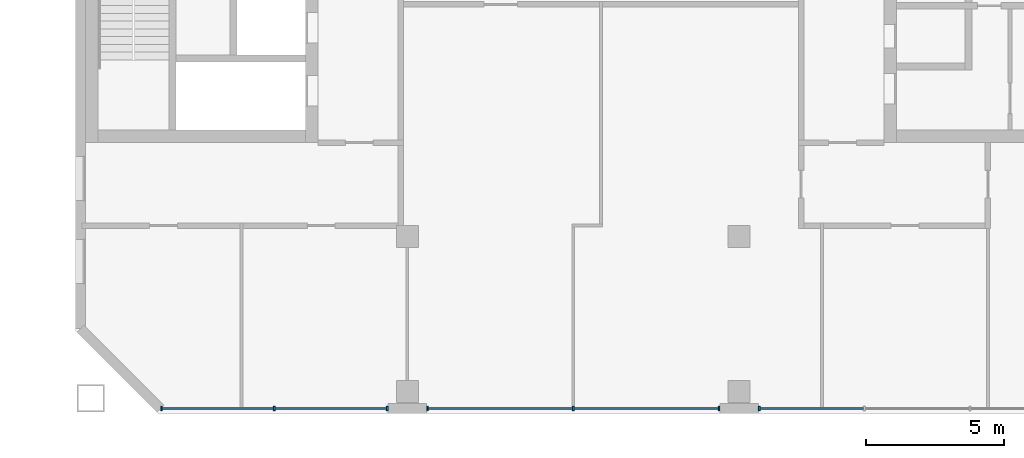
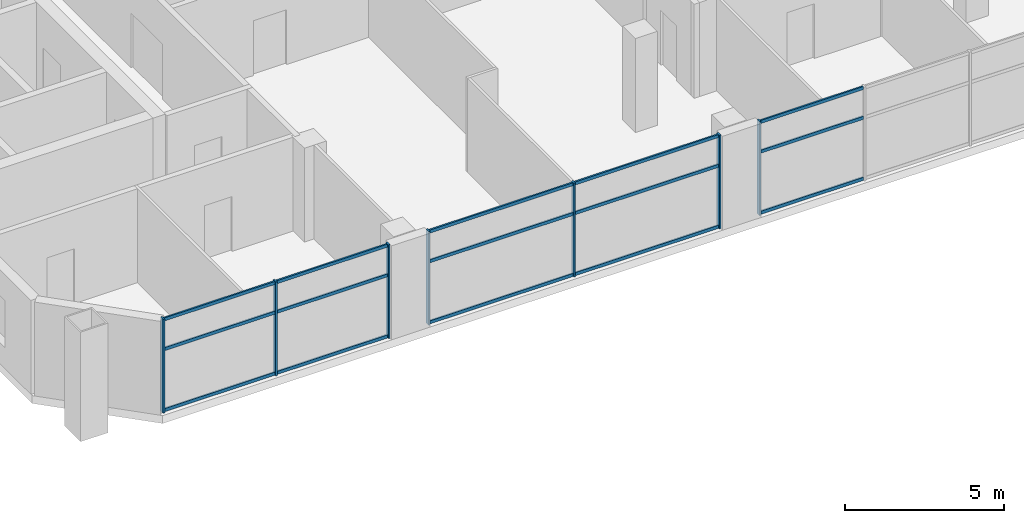
# One storey, part 5 of 19: 22 members, 3 elements without a shape of their own.
"""IFC4 building model written with IfcOpenShell, lengths in metres."""

from ifc_helpers import new_model, si_unit, direction, frame, origin, origin_2d, place, context, subcontext, project, spatial, rectangle, extrude, material, material_profile, profile_set, type_object, element, aggregate, save


model = new_model("IFC4")

# Units and contexts
model_context = context("Model", 3, precision=1e-05, world=origin(), true_north=direction((0.0, 1.0)))
body_context = subcontext(model_context, "Body", "Model", "MODEL_VIEW")
ifc_project = project(units=[si_unit("LENGTHUNIT", "METRE"), si_unit("AREAUNIT", "SQUARE_METRE"), si_unit("VOLUMEUNIT", "CUBIC_METRE"), si_unit("PLANEANGLEUNIT", "RADIAN"), si_unit("MASSUNIT", "GRAM", prefix="KILO")], contexts=[model_context])

# Site, building, storey
site_placement = place(None, origin())
site = spatial("IfcSite", under=ifc_project, at=site_placement, CompositionType="ELEMENT")
building_placement = place(site_placement, origin())
building = spatial("IfcBuilding", under=site, at=building_placement, Name="Tuart Gate Housing", CompositionType="ELEMENT")
storey_placement = place(building_placement, frame((0.0, 0.0, 171.60009765625)))
storey = spatial("IfcBuildingStorey", under=building, at=storey_placement, Name="L48", CompositionType="ELEMENT", Elevation=171.60009765625)

# Curtain wall, members
ifc_material_1 = material(Name="Aluminium and clear glass", Category="aluminium")
curtain_wall_type = type_object("IfcCurtainWallType", Name="Community floor glazing", PredefinedType="USERDEFINED", material=ifc_material_1)
curtain_wall_1_placement = place(storey_placement, origin())
curtain_wall_1 = element("IfcCurtainWall", 1, at=curtain_wall_1_placement, inside=storey, type_object=curtain_wall_type, Name="Community floor glazing B-S L48", ObjectType="COMMUNITY FLOOR GLAZING", PredefinedType="USERDEFINED")
ifc_material_2 = material(Name="Anodised aluminium", Category="aluminium")
ifc_material_profile_1 = material_profile(ifc_material_2, rectangle(XDim=0.06005859375, YDim=0.159912109375, at=origin_2d()), Name="60x160")
ifc_profile_set_1 = profile_set([ifc_material_profile_1], Name="Anodised aluminium")
member_type_1 = type_object("IfcMemberType", Name="Mullion 60 x 160", PredefinedType="MULLION", material=ifc_profile_set_1)
member_1_placement = place(storey_placement, frame((134.1044921875, 54.179931640625, 0.0), z_axis=(0.0, 0.0, 1.0), x_axis=(1.0, 0.0, 0.0)))
member_1 = element("IfcMember", 2, at=member_1_placement, type_object=member_type_1, Name="CW3 mullion 1", PredefinedType="MULLION", context=body_context, shape_type="SweptSolid", body=[
    extrude(rectangle(XDim=0.06005859375, YDim=0.159912109375, at=origin_2d()), origin(), (0.0, 0.0, 1.0), 3.599853515625),
])
member_2_placement = place(storey_placement, frame((138.187255859375, 54.179931640625, 0.0), z_axis=(0.0, 0.0, 1.0), x_axis=(1.0, 0.0, 0.0)))
member_2 = element("IfcMember", 3, at=member_2_placement, type_object=member_type_1, Name="CW3 mullion 2", PredefinedType="MULLION", context=body_context, shape_type="SweptSolid", body=[
    extrude(rectangle(XDim=0.06005859375, YDim=0.159912109375, at=origin_2d()), origin(), (0.0, 0.0, 1.0), 3.599853515625),
])
member_3_placement = place(storey_placement, frame((142.27001953125, 54.179931640625, 0.0), z_axis=(0.0, 0.0, 1.0), x_axis=(1.0, 0.0, 0.0)))
member_3 = element("IfcMember", 4, at=member_3_placement, type_object=member_type_1, Name="CW3 mullion 3", PredefinedType="MULLION", context=body_context, shape_type="SweptSolid", body=[
    extrude(rectangle(XDim=0.06005859375, YDim=0.159912109375, at=origin_2d()), origin(), (0.0, 0.0, 1.0), 3.599853515625),
])

curtain_wall_2_placement = place(storey_placement, origin())
curtain_wall_2 = element("IfcCurtainWall", 5, at=curtain_wall_2_placement, inside=storey, type_object=curtain_wall_type, Name="Community floor glazing B-S L48", ObjectType="COMMUNITY FLOOR GLAZING", PredefinedType="USERDEFINED")
member_4_placement = place(storey_placement, frame((143.72998046875, 54.179931640625, 0.0), z_axis=(0.0, 0.0, 1.0), x_axis=(1.0, 0.0, 0.0)))
member_4 = element("IfcMember", 6, at=member_4_placement, type_object=member_type_1, Name="CW3 mullion 1", PredefinedType="MULLION", context=body_context, shape_type="SweptSolid", body=[
    extrude(rectangle(XDim=0.06005859375, YDim=0.159912109375, at=origin_2d()), origin(), (0.0, 0.0, 1.0), 3.599853515625),
])
member_5_placement = place(storey_placement, frame((149.0, 54.179931640625, 0.0), z_axis=(0.0, 0.0, 1.0), x_axis=(1.0, 0.0, 0.0)))
member_5 = element("IfcMember", 7, at=member_5_placement, type_object=member_type_1, Name="CW3 mullion 2", PredefinedType="MULLION", context=body_context, shape_type="SweptSolid", body=[
    extrude(rectangle(XDim=0.06005859375, YDim=0.159912109375, at=origin_2d()), origin(), (0.0, 0.0, 1.0), 3.599853515625),
])
member_6_placement = place(storey_placement, frame((154.27001953125, 54.179931640625, 0.0), z_axis=(0.0, 0.0, 1.0), x_axis=(1.0, 0.0, 0.0)))
member_6 = element("IfcMember", 8, at=member_6_placement, type_object=member_type_1, Name="CW3 mullion 3", PredefinedType="MULLION", context=body_context, shape_type="SweptSolid", body=[
    extrude(rectangle(XDim=0.06005859375, YDim=0.159912109375, at=origin_2d()), origin(), (0.0, 0.0, 1.0), 3.599853515625),
])

# Curtain wall, member
curtain_wall_3_placement = place(storey_placement, origin())
curtain_wall_3 = element("IfcCurtainWall", 9, at=curtain_wall_3_placement, inside=storey, type_object=curtain_wall_type, Name="Community floor glazing B-S L48", ObjectType="COMMUNITY FLOOR GLAZING", PredefinedType="USERDEFINED")
member_7_placement = place(storey_placement, frame((155.72998046875, 54.179931640625, 0.0), z_axis=(0.0, 0.0, 1.0), x_axis=(1.0, 0.0, 0.0)))
member_7 = element("IfcMember", 10, at=member_7_placement, type_object=member_type_1, Name="CW3 mullion 1", PredefinedType="MULLION", context=body_context, shape_type="SweptSolid", body=[
    extrude(rectangle(XDim=0.06005859375, YDim=0.159912109375, at=origin_2d()), origin(), (0.0, 0.0, 1.0), 3.599853515625),
])

# Member
ifc_material_3 = material(Name="Anodised aluminium", Category="aluminium")
ifc_material_profile_2 = material_profile(ifc_material_3, rectangle(XDim=0.06005859375, YDim=0.1201171875, at=origin_2d()), Name="60x120")
ifc_profile_set_2 = profile_set([ifc_material_profile_2], Name="Anodised aluminium")
member_type_2 = type_object("IfcMemberType", Name="Transom 60 x 120", PredefinedType="USERDEFINED", material=ifc_profile_set_2)
member_8_placement = place(storey_placement, frame((134.134521484375, 54.179931640625, 0.059814453125), z_axis=(1.0, 0.0, 0.0), x_axis=(0.0, 1.0, 0.0)))
member_8 = element("IfcMember", 11, at=member_8_placement, type_object=member_type_2, Name="CW3 transom 1.1", ObjectType="TRANSOM", PredefinedType="USERDEFINED", context=body_context, shape_type="SweptSolid", body=[
    extrude(rectangle(XDim=0.06005859375, YDim=0.1201171875, at=origin_2d()), origin(), (0.0, 0.0, 1.0), 4.022705078125),
])

member_9_placement = place(storey_placement, frame((134.134521484375, 54.179931640625, 2.39990234375), z_axis=(1.0, 0.0, 0.0), x_axis=(0.0, 1.0, 0.0)))
member_9 = element("IfcMember", 12, at=member_9_placement, type_object=member_type_2, Name="CW3 transom 1.2", ObjectType="TRANSOM", PredefinedType="USERDEFINED", context=body_context, shape_type="SweptSolid", body=[
    extrude(rectangle(XDim=0.06005859375, YDim=0.1201171875, at=origin_2d()), origin(), (0.0, 0.0, 1.0), 4.022705078125),
])

member_10_placement = place(storey_placement, frame((134.134521484375, 54.179931640625, 3.539794921875), z_axis=(1.0, 0.0, 0.0), x_axis=(0.0, 1.0, 0.0)))
member_10 = element("IfcMember", 13, at=member_10_placement, type_object=member_type_2, Name="CW3 transom 1.3", ObjectType="TRANSOM", PredefinedType="USERDEFINED", context=body_context, shape_type="SweptSolid", body=[
    extrude(rectangle(XDim=0.06005859375, YDim=0.1201171875, at=origin_2d()), origin(), (0.0, 0.0, 1.0), 4.022705078125),
])

member_11_placement = place(storey_placement, frame((138.21728515625, 54.179931640625, 0.059814453125), z_axis=(1.0, 0.0, 0.0), x_axis=(0.0, 1.0, 0.0)))
member_11 = element("IfcMember", 14, at=member_11_placement, type_object=member_type_2, Name="CW3 transom 2.1", ObjectType="TRANSOM", PredefinedType="USERDEFINED", context=body_context, shape_type="SweptSolid", body=[
    extrude(rectangle(XDim=0.06005859375, YDim=0.1201171875, at=origin_2d()), origin(), (0.0, 0.0, 1.0), 4.022705078125),
])

member_12_placement = place(storey_placement, frame((138.21728515625, 54.179931640625, 2.39990234375), z_axis=(1.0, 0.0, 0.0), x_axis=(0.0, 1.0, 0.0)))
member_12 = element("IfcMember", 15, at=member_12_placement, type_object=member_type_2, Name="CW3 transom 2.2", ObjectType="TRANSOM", PredefinedType="USERDEFINED", context=body_context, shape_type="SweptSolid", body=[
    extrude(rectangle(XDim=0.06005859375, YDim=0.1201171875, at=origin_2d()), origin(), (0.0, 0.0, 1.0), 4.022705078125),
])

member_13_placement = place(storey_placement, frame((138.21728515625, 54.179931640625, 3.539794921875), z_axis=(1.0, 0.0, 0.0), x_axis=(0.0, 1.0, 0.0)))
member_13 = element("IfcMember", 16, at=member_13_placement, type_object=member_type_2, Name="CW3 transom 2.3", ObjectType="TRANSOM", PredefinedType="USERDEFINED", context=body_context, shape_type="SweptSolid", body=[
    extrude(rectangle(XDim=0.06005859375, YDim=0.1201171875, at=origin_2d()), origin(), (0.0, 0.0, 1.0), 4.022705078125),
])

aggregate(curtain_wall_1, [member_1, member_2, member_3, member_8, member_9, member_10, member_11, member_12, member_13])

member_14_placement = place(storey_placement, frame((143.760009765625, 54.179931640625, 0.059814453125), z_axis=(1.0, 0.0, 0.0), x_axis=(0.0, 1.0, 0.0)))
member_14 = element("IfcMember", 17, at=member_14_placement, type_object=member_type_2, Name="CW3 transom 1.1", ObjectType="TRANSOM", PredefinedType="USERDEFINED", context=body_context, shape_type="SweptSolid", body=[
    extrude(rectangle(XDim=0.06005859375, YDim=0.1201171875, at=origin_2d()), origin(), (0.0, 0.0, 1.0), 5.2099609375),
])

member_15_placement = place(storey_placement, frame((143.760009765625, 54.179931640625, 2.39990234375), z_axis=(1.0, 0.0, 0.0), x_axis=(0.0, 1.0, 0.0)))
member_15 = element("IfcMember", 18, at=member_15_placement, type_object=member_type_2, Name="CW3 transom 1.2", ObjectType="TRANSOM", PredefinedType="USERDEFINED", context=body_context, shape_type="SweptSolid", body=[
    extrude(rectangle(XDim=0.06005859375, YDim=0.1201171875, at=origin_2d()), origin(), (0.0, 0.0, 1.0), 5.2099609375),
])

member_16_placement = place(storey_placement, frame((143.760009765625, 54.179931640625, 3.539794921875), z_axis=(1.0, 0.0, 0.0), x_axis=(0.0, 1.0, 0.0)))
member_16 = element("IfcMember", 19, at=member_16_placement, type_object=member_type_2, Name="CW3 transom 1.3", ObjectType="TRANSOM", PredefinedType="USERDEFINED", context=body_context, shape_type="SweptSolid", body=[
    extrude(rectangle(XDim=0.06005859375, YDim=0.1201171875, at=origin_2d()), origin(), (0.0, 0.0, 1.0), 5.2099609375),
])

member_17_placement = place(storey_placement, frame((149.030029296875, 54.179931640625, 0.059814453125), z_axis=(1.0, 0.0, 0.0), x_axis=(0.0, 1.0, 0.0)))
member_17 = element("IfcMember", 20, at=member_17_placement, type_object=member_type_2, Name="CW3 transom 2.1", ObjectType="TRANSOM", PredefinedType="USERDEFINED", context=body_context, shape_type="SweptSolid", body=[
    extrude(rectangle(XDim=0.06005859375, YDim=0.1201171875, at=origin_2d()), origin(), (0.0, 0.0, 1.0), 5.2099609375),
])

member_18_placement = place(storey_placement, frame((149.030029296875, 54.179931640625, 2.39990234375), z_axis=(1.0, 0.0, 0.0), x_axis=(0.0, 1.0, 0.0)))
member_18 = element("IfcMember", 21, at=member_18_placement, type_object=member_type_2, Name="CW3 transom 2.2", ObjectType="TRANSOM", PredefinedType="USERDEFINED", context=body_context, shape_type="SweptSolid", body=[
    extrude(rectangle(XDim=0.06005859375, YDim=0.1201171875, at=origin_2d()), origin(), (0.0, 0.0, 1.0), 5.2099609375),
])

member_19_placement = place(storey_placement, frame((149.030029296875, 54.179931640625, 3.539794921875), z_axis=(1.0, 0.0, 0.0), x_axis=(0.0, 1.0, 0.0)))
member_19 = element("IfcMember", 22, at=member_19_placement, type_object=member_type_2, Name="CW3 transom 2.3", ObjectType="TRANSOM", PredefinedType="USERDEFINED", context=body_context, shape_type="SweptSolid", body=[
    extrude(rectangle(XDim=0.06005859375, YDim=0.1201171875, at=origin_2d()), origin(), (0.0, 0.0, 1.0), 5.2099609375),
])

aggregate(curtain_wall_2, [member_4, member_5, member_6, member_14, member_15, member_16, member_17, member_18, member_19])

member_20_placement = place(storey_placement, frame((155.760009765625, 54.179931640625, 0.059814453125), z_axis=(1.0, 0.0, 0.0), x_axis=(0.0, 1.0, 0.0)))
member_20 = element("IfcMember", 23, at=member_20_placement, type_object=member_type_2, Name="CW3 transom 1.1", ObjectType="TRANSOM", PredefinedType="USERDEFINED", context=body_context, shape_type="SweptSolid", body=[
    extrude(rectangle(XDim=0.06005859375, YDim=0.1201171875, at=origin_2d()), origin(), (0.0, 0.0, 1.0), 3.735107421875),
])

member_21_placement = place(storey_placement, frame((155.760009765625, 54.179931640625, 2.39990234375), z_axis=(1.0, 0.0, 0.0), x_axis=(0.0, 1.0, 0.0)))
member_21 = element("IfcMember", 24, at=member_21_placement, type_object=member_type_2, Name="CW3 transom 1.2", ObjectType="TRANSOM", PredefinedType="USERDEFINED", context=body_context, shape_type="SweptSolid", body=[
    extrude(rectangle(XDim=0.06005859375, YDim=0.1201171875, at=origin_2d()), origin(), (0.0, 0.0, 1.0), 3.735107421875),
])

member_22_placement = place(storey_placement, frame((155.760009765625, 54.179931640625, 3.539794921875), z_axis=(1.0, 0.0, 0.0), x_axis=(0.0, 1.0, 0.0)))
member_22 = element("IfcMember", 25, at=member_22_placement, type_object=member_type_2, Name="CW3 transom 1.3", ObjectType="TRANSOM", PredefinedType="USERDEFINED", context=body_context, shape_type="SweptSolid", body=[
    extrude(rectangle(XDim=0.06005859375, YDim=0.1201171875, at=origin_2d()), origin(), (0.0, 0.0, 1.0), 3.735107421875),
])

aggregate(curtain_wall_3, [member_7, member_20, member_21, member_22])

save(model, "model.ifc")
